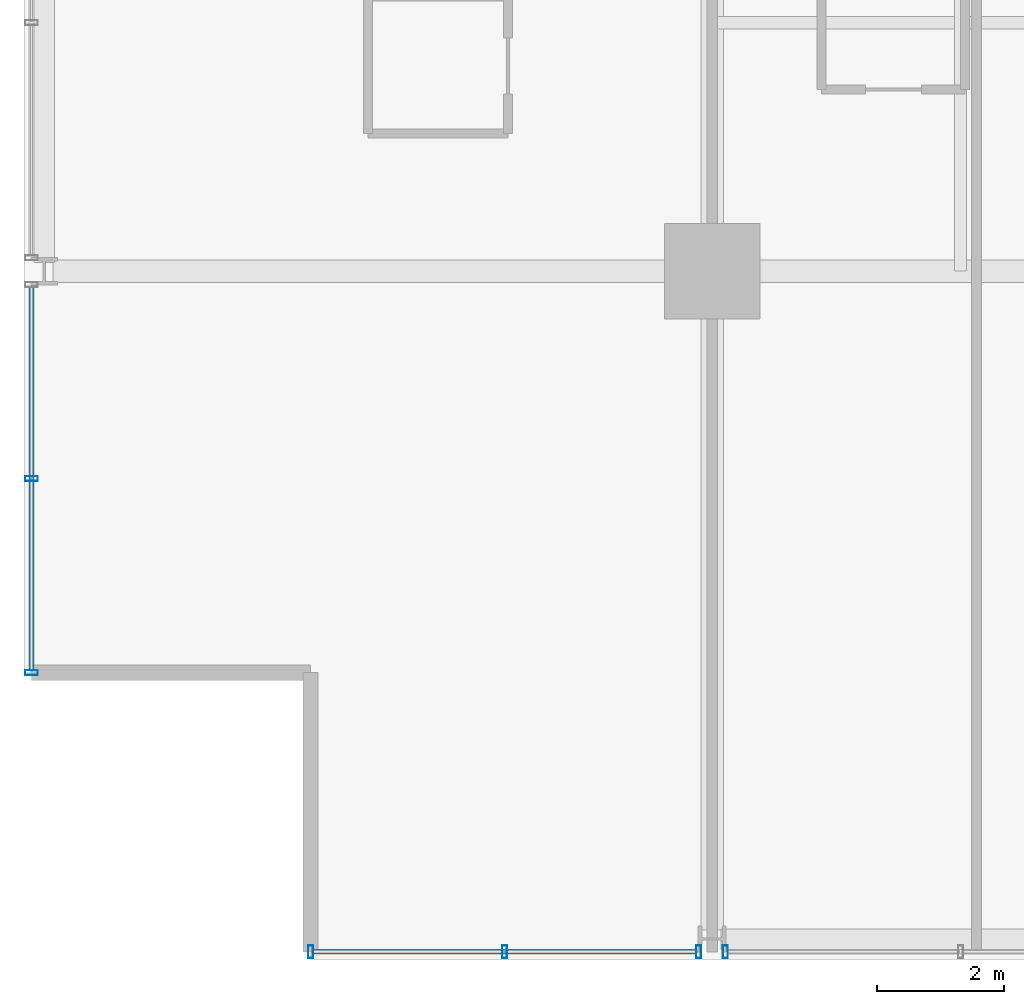
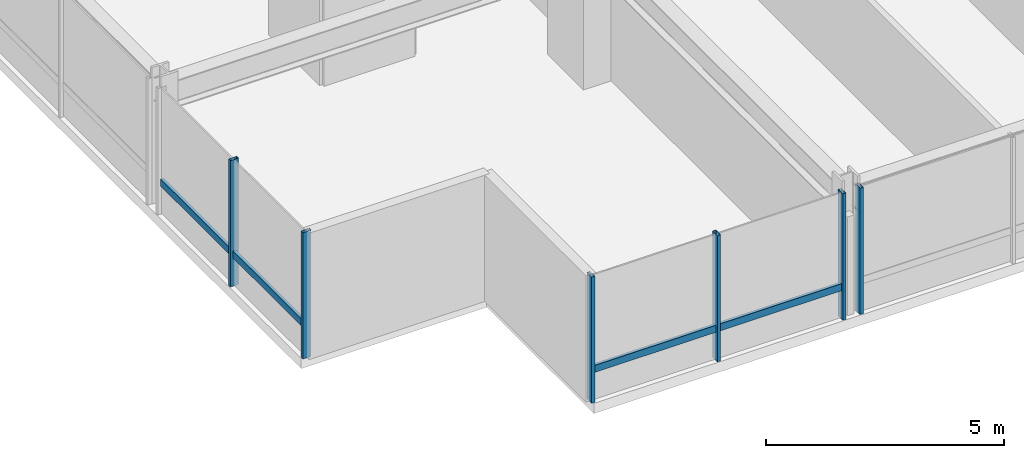
# One storey, part 2 of 34: 8 members, 3 elements without a shape of their own.
"""IFC4 building model written with IfcOpenShell, lengths in metres."""

from ifc_helpers import new_model, si_unit, direction, frame, origin, origin_2d, place, context, subcontext, project, spatial, hollow_rectangle, extrude, material, layer, layer_set, material_profile, profile_set, type_object, element, aggregate, save


model = new_model("IFC4")

# Units and contexts
model_context = context("Model", 3, precision=1e-05, world=origin(), true_north=direction((0.0, 1.0)))
body_context = subcontext(model_context, "Body", "Model", "MODEL_VIEW")
ifc_project = project(units=[si_unit("LENGTHUNIT", "METRE"), si_unit("AREAUNIT", "SQUARE_METRE"), si_unit("VOLUMEUNIT", "CUBIC_METRE"), si_unit("PLANEANGLEUNIT", "RADIAN"), si_unit("MASSUNIT", "GRAM", prefix="KILO")], contexts=[model_context])

# Site, building, storey
site_placement = place(None, origin())
site = spatial("IfcSite", under=ifc_project, at=site_placement, CompositionType="ELEMENT")
building_placement = place(site_placement, origin())
building = spatial("IfcBuilding", under=site, at=building_placement, Name="Drelvath Grand Hotel", CompositionType="ELEMENT")
storey_placement = place(building_placement, frame((0.0, 0.0, 133.800048828125)))
storey = spatial("IfcBuildingStorey", under=building, at=storey_placement, Name="L34", CompositionType="ELEMENT", Elevation=133.800048828125)

# Curtain wall, member
ifc_material = material(Name="Champagne Bronze Anodised Aluminium Frame", Category="aluminium")
ifc_layer = layer(ifc_material, 0.199951171875)
ifc_layer_set = layer_set([ifc_layer], Name="Champagne Bronze Anodised Aluminium Frame")
curtain_wall_type = type_object("IfcCurtainWallType", Name="Stick Curtain Wall CW-03 Champagne Bronze Mid-Rise", PredefinedType="NOTDEFINED", material=ifc_layer_set)
curtain_wall_1_placement = place(storey_placement, origin())
curtain_wall_1 = element("IfcCurtainWall", 1, at=curtain_wall_1_placement, inside=storey, type_object=curtain_wall_type, Name="L34 CW-03 Curtain Wall CW03-L34-WS1", PredefinedType="NOTDEFINED")
ifc_material_profile_1 = material_profile(ifc_material, hollow_rectangle(XDim=0.074951171875, YDim=0.179931640625, WallThickness=0.0048828125, at=origin_2d()), Name="HSS180X75X5")
ifc_profile_set_1 = profile_set([ifc_material_profile_1], Name="Champagne Bronze Anodised Aluminium Frame")
member_type_1 = type_object("IfcMemberType", Name="Curtain Wall Horizontal Transom CW-03 HSS180X75X5", PredefinedType="USERDEFINED", material=ifc_profile_set_1)
member_1_placement = place(storey_placement, frame((-26.8798828125, 4.5400390625, 0.81005859375), z_axis=(0.0, 1.0, 0.0), x_axis=(-1.0, 0.0, 0.0)))
member_1 = element("IfcMember", 2, at=member_1_placement, type_object=member_type_1, Name="CW03-L34-WS1 Sill Transom", ObjectType="TRANSOM", PredefinedType="USERDEFINED", context=body_context, shape_type="SweptSolid", body=[
    extrude(hollow_rectangle(XDim=0.074951171875, YDim=0.179931640625, WallThickness=0.0048828125, at=origin_2d()), origin(), (0.0, 0.0, 1.0), 6.010498046875),
])

curtain_wall_2_placement = place(storey_placement, origin())
curtain_wall_2 = element("IfcCurtainWall", 3, at=curtain_wall_2_placement, inside=storey, type_object=curtain_wall_type, Name="L34 CW-03 Curtain Wall CW03-L34-SW1", PredefinedType="NOTDEFINED")
member_2_placement = place(storey_placement, frame((-16.449462890625, 0.1201171875, 0.81005859375), z_axis=(-1.0, 0.0, 0.0), x_axis=(0.0, -1.0, 0.0)))
member_2 = element("IfcMember", 4, at=member_2_placement, type_object=member_type_1, Name="CW03-L34-SW1 Sill Transom", ObjectType="TRANSOM", PredefinedType="USERDEFINED", context=body_context, shape_type="SweptSolid", body=[
    extrude(hollow_rectangle(XDim=0.074951171875, YDim=0.179931640625, WallThickness=0.0048828125, at=origin_2d()), origin(), (0.0, 0.0, 1.0), 6.010498046875),
])

# Member
ifc_material_profile_2 = material_profile(ifc_material, hollow_rectangle(XDim=0.080078125, YDim=0.199951171875, WallThickness=0.0048828125, at=origin_2d()), Name="HSS200X80X5")
ifc_profile_set_2 = profile_set([ifc_material_profile_2], Name="Champagne Bronze Anodised Aluminium Frame")
member_type_2 = type_object("IfcMemberType", Name="Curtain Wall Vertical Mullion CW-03 HSS200X80X5", PredefinedType="MULLION", material=ifc_profile_set_2)
member_3_placement = place(storey_placement, frame((-26.8798828125, 4.5, 0.0), z_axis=(0.0, 0.0, 1.0), x_axis=(0.0, 1.0, 0.0)))
member_3 = element("IfcMember", 5, at=member_3_placement, type_object=member_type_2, Name="CW03-L34-WS1 Mullion 1", PredefinedType="MULLION", context=body_context, shape_type="SweptSolid", body=[
    extrude(hollow_rectangle(XDim=0.080078125, YDim=0.199951171875, WallThickness=0.0048828125, at=origin_2d()), origin(), (0.0, 0.0, 1.0), 3.239990234375),
])

member_4_placement = place(storey_placement, frame((-26.8798828125, 7.54541015625, 0.0), z_axis=(0.0, 0.0, 1.0), x_axis=(0.0, 1.0, 0.0)))
member_4 = element("IfcMember", 6, at=member_4_placement, type_object=member_type_2, Name="CW03-L34-WS1 Mullion 2", PredefinedType="MULLION", context=body_context, shape_type="SweptSolid", body=[
    extrude(hollow_rectangle(XDim=0.080078125, YDim=0.199951171875, WallThickness=0.0048828125, at=origin_2d()), origin(), (0.0, 0.0, 1.0), 3.239990234375),
])

aggregate(curtain_wall_1, [member_3, member_4, member_1])

member_5_placement = place(storey_placement, frame((-16.409423828125, 0.1201171875, 0.0), z_axis=(0.0, 0.0, 1.0), x_axis=(1.0, 0.0, 0.0)))
member_5 = element("IfcMember", 7, at=member_5_placement, type_object=member_type_2, Name="CW03-L34-SW1 Mullion 1", PredefinedType="MULLION", context=body_context, shape_type="SweptSolid", body=[
    extrude(hollow_rectangle(XDim=0.080078125, YDim=0.199951171875, WallThickness=0.0048828125, at=origin_2d()), origin(), (0.0, 0.0, 1.0), 3.239990234375),
])

member_6_placement = place(storey_placement, frame((-19.45458984375, 0.1201171875, 0.0), z_axis=(0.0, 0.0, 1.0), x_axis=(1.0, 0.0, 0.0)))
member_6 = element("IfcMember", 8, at=member_6_placement, type_object=member_type_2, Name="CW03-L34-SW1 Mullion 2", PredefinedType="MULLION", context=body_context, shape_type="SweptSolid", body=[
    extrude(hollow_rectangle(XDim=0.080078125, YDim=0.199951171875, WallThickness=0.0048828125, at=origin_2d()), origin(), (0.0, 0.0, 1.0), 3.239990234375),
])

member_7_placement = place(storey_placement, frame((-22.5, 0.1201171875, 0.0), z_axis=(0.0, 0.0, 1.0), x_axis=(1.0, 0.0, 0.0)))
member_7 = element("IfcMember", 9, at=member_7_placement, type_object=member_type_2, Name="CW03-L34-SW1 Mullion 3", PredefinedType="MULLION", context=body_context, shape_type="SweptSolid", body=[
    extrude(hollow_rectangle(XDim=0.080078125, YDim=0.199951171875, WallThickness=0.0048828125, at=origin_2d()), origin(), (0.0, 0.0, 1.0), 3.239990234375),
])

aggregate(curtain_wall_2, [member_5, member_6, member_7, member_2])

# Curtain wall, member
curtain_wall_3_placement = place(storey_placement, origin())
curtain_wall_3 = element("IfcCurtainWall", 10, at=curtain_wall_3_placement, inside=storey, type_object=curtain_wall_type, Name="L34 CW-03 Curtain Wall CW03-L34-SW2", PredefinedType="NOTDEFINED")
member_8_placement = place(storey_placement, frame((-15.990478515625, 0.1201171875, 0.0), z_axis=(0.0, 0.0, 1.0), x_axis=(1.0, 0.0, 0.0)))
member_8 = element("IfcMember", 11, at=member_8_placement, type_object=member_type_2, Name="CW03-L34-SW2 Mullion 3", PredefinedType="MULLION", context=body_context, shape_type="SweptSolid", body=[
    extrude(hollow_rectangle(XDim=0.080078125, YDim=0.199951171875, WallThickness=0.0048828125, at=origin_2d()), origin(), (0.0, 0.0, 1.0), 3.239990234375),
])
aggregate(curtain_wall_3, [member_8])

save(model, "model.ifc")
